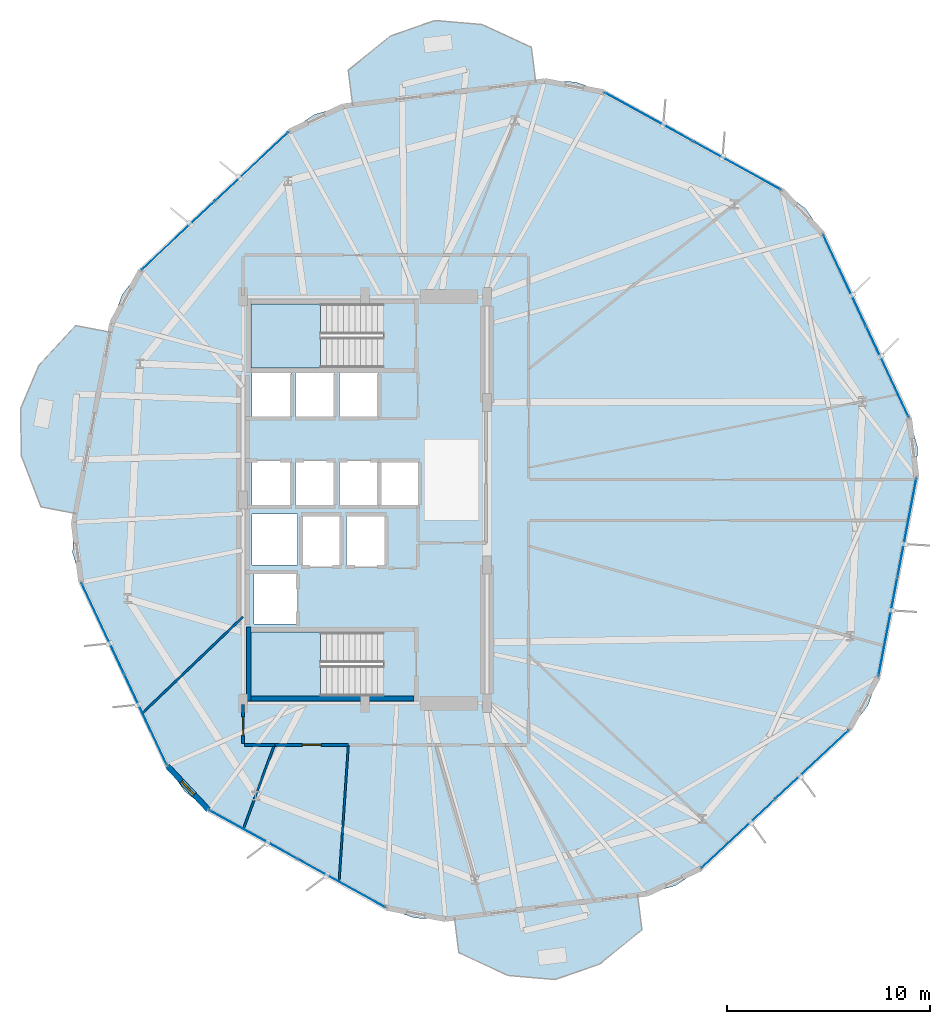
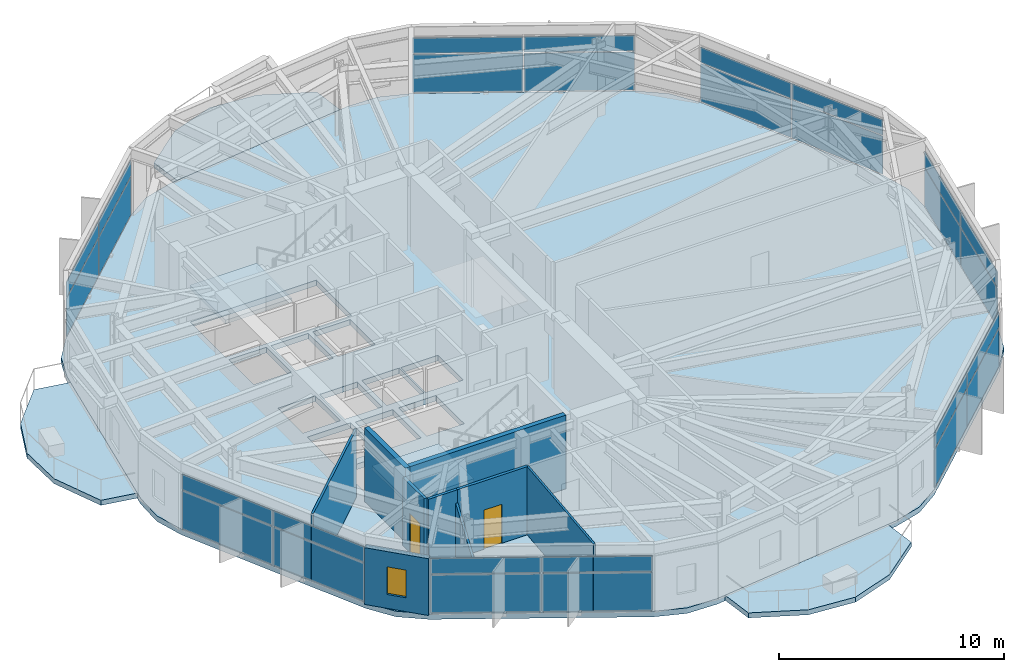
# One storey, part 15 of 22: 28 plates, 9 walls, 6 slabs, 2 doors, 1 window, 3 openings, 9 elements without a shape of their own.
"""IFC4 building model written with IfcOpenShell, lengths in metres."""

from ifc_helpers import new_model, si_unit, direction, frame, frame_2d, origin, origin_2d, place, context, subcontext, project, spatial, polyline, rectangle, outline, extrude, material, layer, layer_set, type_object, element, fill, aggregate, save


model = new_model("IFC4")

# Units and contexts
model_context = context("Model", 3, precision=1e-05, world=origin(), true_north=direction((0.0, 1.0)))
body_context = subcontext(model_context, "Body", "Model", "MODEL_VIEW")
ifc_project = project(units=[si_unit("LENGTHUNIT", "METRE"), si_unit("AREAUNIT", "SQUARE_METRE"), si_unit("VOLUMEUNIT", "CUBIC_METRE"), si_unit("PLANEANGLEUNIT", "RADIAN"), si_unit("MASSUNIT", "GRAM", prefix="KILO")], contexts=[model_context])

# Site, building, storey
site_placement = place(None, origin())
site = spatial("IfcSite", under=ifc_project, at=site_placement, CompositionType="ELEMENT")
building_placement = place(site_placement, origin())
building = spatial("IfcBuilding", under=site, at=building_placement, Name="Soratama Intermodal Tower", CompositionType="ELEMENT")
storey_placement = place(building_placement, frame((0.0, 0.0, 54.60009765625)))
storey = spatial("IfcBuildingStorey", under=building, at=storey_placement, Name="L12", CompositionType="ELEMENT", Elevation=54.60009765625)

# Curtain wall, plates
ifc_material_1 = material(Name="Double-glazed aluminium curtain wall", Category="aluminium")
ifc_layer_1 = layer(ifc_material_1, 0.159912109375)
ifc_layer_set_1 = layer_set([ifc_layer_1], Name="Double-glazed aluminium curtain wall")
curtain_wall_type = type_object("IfcCurtainWallType", Name="CW-SYS-2", PredefinedType="NOTDEFINED", material=ifc_layer_set_1)
curtain_wall_1_placement = place(storey_placement, origin())
curtain_wall_1 = element("IfcCurtainWall", 1, at=curtain_wall_1_placement, inside=storey, type_object=curtain_wall_type, Name="L12 Faceted Curtain Wall F01", PredefinedType="NOTDEFINED")
ifc_material_2 = material(Name="Low-E laminated double glazing", Category="glass")
ifc_layer_2 = layer(ifc_material_2, 0.031982421875)
ifc_layer_set_2 = layer_set([ifc_layer_2], Name="Low-E laminated double glazing")
plate_type = type_object("IfcPlateType", Name="PT-CWP-2", PredefinedType="CURTAIN_PANEL", material=ifc_layer_set_2)
plate_1_placement = place(storey_placement, frame((64.30029296875, 31.318115234375, 0.059814453125), z_axis=(0.0, 0.0, 1.0), x_axis=(-0.424828705132, 0.905273754892, 0.0)))
plate_1 = element("IfcPlate", 2, at=plate_1_placement, type_object=plate_type, Name="CW-2 panel 1.1", PredefinedType="CURTAIN_PANEL", context=body_context, shape_type="SweptSolid", body=[
    extrude(rectangle(XDim=4.899658203125, YDim=0.028076171875, at=origin_2d()), origin(), (0.0, 0.0, 1.0), 2.06005859375),
])
plate_2_placement = place(storey_placement, frame((64.30029296875, 31.318115234375, 2.1796875), z_axis=(0.0, 0.0, 1.0), x_axis=(-0.424828705132, 0.905273754892, 0.0)))
plate_2 = element("IfcPlate", 3, at=plate_2_placement, type_object=plate_type, Name="CW-2 panel 1.2", PredefinedType="CURTAIN_PANEL", context=body_context, shape_type="SweptSolid", body=[
    extrude(rectangle(XDim=4.899658203125, YDim=0.028076171875, at=origin_2d()), origin(), (0.0, 0.0, 1.0), 0.839111328125),
])
plate_3_placement = place(storey_placement, frame((62.193359375, 35.807861328125, 0.059814453125), z_axis=(0.0, 0.0, 1.0), x_axis=(-0.424828705132, 0.905273754892, 0.0)))
plate_3 = element("IfcPlate", 4, at=plate_3_placement, type_object=plate_type, Name="CW-2 panel 2.1", PredefinedType="CURTAIN_PANEL", context=body_context, shape_type="SweptSolid", body=[
    extrude(rectangle(XDim=4.899658203125, YDim=0.028076171875, at=origin_2d()), origin(), (0.0, 0.0, 1.0), 2.06005859375),
])
plate_4_placement = place(storey_placement, frame((62.193359375, 35.807861328125, 2.1796875), z_axis=(0.0, 0.0, 1.0), x_axis=(-0.424828705132, 0.905273754892, 0.0)))
plate_4 = element("IfcPlate", 5, at=plate_4_placement, type_object=plate_type, Name="CW-2 panel 2.2", PredefinedType="CURTAIN_PANEL", context=body_context, shape_type="SweptSolid", body=[
    extrude(rectangle(XDim=4.899658203125, YDim=0.028076171875, at=origin_2d()), origin(), (0.0, 0.0, 1.0), 0.839111328125),
])
aggregate(curtain_wall_1, [plate_1, plate_2, plate_3, plate_4])

curtain_wall_2_placement = place(storey_placement, origin())
curtain_wall_2 = element("IfcCurtainWall", 6, at=curtain_wall_2_placement, inside=storey, type_object=curtain_wall_type, Name="L12 Faceted Curtain Wall F02", PredefinedType="NOTDEFINED")
plate_5_placement = place(storey_placement, frame((56.900634765625, 41.455810546875, 0.059814453125), z_axis=(0.0, 0.0, 1.0), x_axis=(-0.875798144313, 0.482677542899, 0.0)))
plate_5 = element("IfcPlate", 7, at=plate_5_placement, type_object=plate_type, Name="CW-2 panel 1.1", PredefinedType="CURTAIN_PANEL", context=body_context, shape_type="SweptSolid", body=[
    extrude(rectangle(XDim=4.899658203125, YDim=0.028076171875, at=origin_2d()), origin(), (0.0, 0.0, 1.0), 2.06005859375),
])
plate_6_placement = place(storey_placement, frame((56.900634765625, 41.455810546875, 2.1796875), z_axis=(0.0, 0.0, 1.0), x_axis=(-0.875798144313, 0.482677542899, 0.0)))
plate_6 = element("IfcPlate", 8, at=plate_6_placement, type_object=plate_type, Name="CW-2 panel 1.2", PredefinedType="CURTAIN_PANEL", context=body_context, shape_type="SweptSolid", body=[
    extrude(rectangle(XDim=4.899658203125, YDim=0.028076171875, at=origin_2d()), origin(), (0.0, 0.0, 1.0), 0.839111328125),
])
plate_7_placement = place(storey_placement, frame((52.55712890625, 43.849853515625, 0.059814453125), z_axis=(0.0, 0.0, 1.0), x_axis=(-0.875798144313, 0.482677542899, 0.0)))
plate_7 = element("IfcPlate", 9, at=plate_7_placement, type_object=plate_type, Name="CW-2 panel 2.1", PredefinedType="CURTAIN_PANEL", context=body_context, shape_type="SweptSolid", body=[
    extrude(rectangle(XDim=4.899658203125, YDim=0.028076171875, at=origin_2d()), origin(), (0.0, 0.0, 1.0), 2.06005859375),
])
plate_8_placement = place(storey_placement, frame((52.55712890625, 43.849853515625, 2.1796875), z_axis=(0.0, 0.0, 1.0), x_axis=(-0.875798144313, 0.482677542899, 0.0)))
plate_8 = element("IfcPlate", 10, at=plate_8_placement, type_object=plate_type, Name="CW-2 panel 2.2", PredefinedType="CURTAIN_PANEL", context=body_context, shape_type="SweptSolid", body=[
    extrude(rectangle(XDim=4.899658203125, YDim=0.028076171875, at=origin_2d()), origin(), (0.0, 0.0, 1.0), 0.839111328125),
])
aggregate(curtain_wall_2, [plate_5, plate_6, plate_7, plate_8])

curtain_wall_3_placement = place(storey_placement, origin())
curtain_wall_3 = element("IfcCurtainWall", 11, at=curtain_wall_3_placement, inside=storey, type_object=curtain_wall_type, Name="L12 Faceted Curtain Wall F04", PredefinedType="NOTDEFINED")
plate_9_placement = place(storey_placement, frame((33.02685546875, 41.4033203125, 0.059814453125), z_axis=(0.0, 0.0, 1.0), x_axis=(-0.729682188775, -0.683786445745, 0.0)))
plate_9 = element("IfcPlate", 12, at=plate_9_placement, type_object=plate_type, Name="CW-2 panel 1.1", PredefinedType="CURTAIN_PANEL", context=body_context, shape_type="SweptSolid", body=[
    extrude(rectangle(XDim=4.899658203125, YDim=0.028076171875, at=origin_2d()), origin(), (0.0, 0.0, 1.0), 2.06005859375),
])
plate_10_placement = place(storey_placement, frame((33.02685546875, 41.4033203125, 2.1796875), z_axis=(0.0, 0.0, 1.0), x_axis=(-0.729682188775, -0.683786445745, 0.0)))
plate_10 = element("IfcPlate", 13, at=plate_10_placement, type_object=plate_type, Name="CW-2 panel 1.2", PredefinedType="CURTAIN_PANEL", context=body_context, shape_type="SweptSolid", body=[
    extrude(rectangle(XDim=4.899658203125, YDim=0.028076171875, at=origin_2d()), origin(), (0.0, 0.0, 1.0), 0.839111328125),
])
plate_11_placement = place(storey_placement, frame((29.407958984375, 38.011962890625, 0.059814453125), z_axis=(0.0, 0.0, 1.0), x_axis=(-0.729682188775, -0.683786445745, 0.0)))
plate_11 = element("IfcPlate", 14, at=plate_11_placement, type_object=plate_type, Name="CW-2 panel 2.1", PredefinedType="CURTAIN_PANEL", context=body_context, shape_type="SweptSolid", body=[
    extrude(rectangle(XDim=4.899658203125, YDim=0.028076171875, at=origin_2d()), origin(), (0.0, 0.0, 1.0), 2.06005859375),
])
plate_12_placement = place(storey_placement, frame((29.407958984375, 38.011962890625, 2.1796875), z_axis=(0.0, 0.0, 1.0), x_axis=(-0.729682188775, -0.683786445745, 0.0)))
plate_12 = element("IfcPlate", 15, at=plate_12_placement, type_object=plate_type, Name="CW-2 panel 2.2", PredefinedType="CURTAIN_PANEL", context=body_context, shape_type="SweptSolid", body=[
    extrude(rectangle(XDim=4.899658203125, YDim=0.028076171875, at=origin_2d()), origin(), (0.0, 0.0, 1.0), 0.839111328125),
])
aggregate(curtain_wall_3, [plate_9, plate_10, plate_11, plate_12])

curtain_wall_4_placement = place(storey_placement, origin())
curtain_wall_4 = element("IfcCurtainWall", 16, at=curtain_wall_4_placement, inside=storey, type_object=curtain_wall_type, Name="L12 Faceted Curtain Wall F06", PredefinedType="NOTDEFINED")
plate_13_placement = place(storey_placement, frame((25.69970703125, 18.681884765625, 0.059814453125), z_axis=(0.0, 0.0, 1.0), x_axis=(0.424828705132, -0.905273754892, 0.0)))
plate_13 = element("IfcPlate", 17, at=plate_13_placement, type_object=plate_type, Name="CW-2 panel 1.1", PredefinedType="CURTAIN_PANEL", context=body_context, shape_type="SweptSolid", body=[
    extrude(rectangle(XDim=4.899658203125, YDim=0.028076171875, at=origin_2d()), origin(), (0.0, 0.0, 1.0), 2.06005859375),
])
plate_14_placement = place(storey_placement, frame((25.69970703125, 18.681884765625, 2.1796875), z_axis=(0.0, 0.0, 1.0), x_axis=(0.424828705132, -0.905273754892, 0.0)))
plate_14 = element("IfcPlate", 18, at=plate_14_placement, type_object=plate_type, Name="CW-2 panel 1.2", PredefinedType="CURTAIN_PANEL", context=body_context, shape_type="SweptSolid", body=[
    extrude(rectangle(XDim=4.899658203125, YDim=0.028076171875, at=origin_2d()), origin(), (0.0, 0.0, 1.0), 0.839111328125),
])
plate_15_placement = place(storey_placement, frame((27.806640625, 14.192138671875, 0.059814453125), z_axis=(0.0, 0.0, 1.0), x_axis=(0.424828705132, -0.905273754892, 0.0)))
plate_15 = element("IfcPlate", 19, at=plate_15_placement, type_object=plate_type, Name="CW-2 panel 2.1", PredefinedType="CURTAIN_PANEL", context=body_context, shape_type="SweptSolid", body=[
    extrude(rectangle(XDim=4.899658203125, YDim=0.028076171875, at=origin_2d()), origin(), (0.0, 0.0, 1.0), 2.06005859375),
])
plate_16_placement = place(storey_placement, frame((27.806640625, 14.192138671875, 2.1796875), z_axis=(0.0, 0.0, 1.0), x_axis=(0.424828705132, -0.905273754892, 0.0)))
plate_16 = element("IfcPlate", 20, at=plate_16_placement, type_object=plate_type, Name="CW-2 panel 2.2", PredefinedType="CURTAIN_PANEL", context=body_context, shape_type="SweptSolid", body=[
    extrude(rectangle(XDim=4.899658203125, YDim=0.028076171875, at=origin_2d()), origin(), (0.0, 0.0, 1.0), 0.839111328125),
])
aggregate(curtain_wall_4, [plate_13, plate_14, plate_15, plate_16])

curtain_wall_5_placement = place(storey_placement, origin())
curtain_wall_5 = element("IfcCurtainWall", 21, at=curtain_wall_5_placement, inside=storey, type_object=curtain_wall_type, Name="L12 Faceted Curtain Wall F07", PredefinedType="NOTDEFINED")
plate_17_placement = place(storey_placement, frame((33.099365234375, 8.544189453125, 0.059814453125), z_axis=(0.0, 0.0, 1.0), x_axis=(0.875798144313, -0.482677542899, 0.0)))
plate_17 = element("IfcPlate", 22, at=plate_17_placement, type_object=plate_type, Name="CW-2 panel 1.1", PredefinedType="CURTAIN_PANEL", context=body_context, shape_type="SweptSolid", body=[
    extrude(rectangle(XDim=4.899658203125, YDim=0.028076171875, at=origin_2d()), origin(), (0.0, 0.0, 1.0), 2.06005859375),
])
plate_18_placement = place(storey_placement, frame((33.099365234375, 8.544189453125, 2.1796875), z_axis=(0.0, 0.0, 1.0), x_axis=(0.875798144313, -0.482677542899, 0.0)))
plate_18 = element("IfcPlate", 23, at=plate_18_placement, type_object=plate_type, Name="CW-2 panel 1.2", PredefinedType="CURTAIN_PANEL", context=body_context, shape_type="SweptSolid", body=[
    extrude(rectangle(XDim=4.899658203125, YDim=0.028076171875, at=origin_2d()), origin(), (0.0, 0.0, 1.0), 0.839111328125),
])
plate_19_placement = place(storey_placement, frame((37.44287109375, 6.150146484375, 0.059814453125), z_axis=(0.0, 0.0, 1.0), x_axis=(0.875798144313, -0.482677542899, 0.0)))
plate_19 = element("IfcPlate", 24, at=plate_19_placement, type_object=plate_type, Name="CW-2 panel 2.1", PredefinedType="CURTAIN_PANEL", context=body_context, shape_type="SweptSolid", body=[
    extrude(rectangle(XDim=4.899658203125, YDim=0.028076171875, at=origin_2d()), origin(), (0.0, 0.0, 1.0), 2.06005859375),
])
plate_20_placement = place(storey_placement, frame((37.44287109375, 6.150146484375, 2.1796875), z_axis=(0.0, 0.0, 1.0), x_axis=(0.875798144313, -0.482677542899, 0.0)))
plate_20 = element("IfcPlate", 25, at=plate_20_placement, type_object=plate_type, Name="CW-2 panel 2.2", PredefinedType="CURTAIN_PANEL", context=body_context, shape_type="SweptSolid", body=[
    extrude(rectangle(XDim=4.899658203125, YDim=0.028076171875, at=origin_2d()), origin(), (0.0, 0.0, 1.0), 0.839111328125),
])
aggregate(curtain_wall_5, [plate_17, plate_18, plate_19, plate_20])

curtain_wall_6_placement = place(storey_placement, origin())
curtain_wall_6 = element("IfcCurtainWall", 26, at=curtain_wall_6_placement, inside=storey, type_object=curtain_wall_type, Name="L12 Faceted Curtain Wall F09", PredefinedType="NOTDEFINED")
plate_21_placement = place(storey_placement, frame((56.97314453125, 8.5966796875, 0.059814453125), z_axis=(0.0, 0.0, 1.0), x_axis=(0.729682188775, 0.683786445745, 0.0)))
plate_21 = element("IfcPlate", 27, at=plate_21_placement, type_object=plate_type, Name="CW-2 panel 1.1", PredefinedType="CURTAIN_PANEL", context=body_context, shape_type="SweptSolid", body=[
    extrude(rectangle(XDim=4.899658203125, YDim=0.028076171875, at=origin_2d()), origin(), (0.0, 0.0, 1.0), 2.06005859375),
])
plate_22_placement = place(storey_placement, frame((56.97314453125, 8.5966796875, 2.1796875), z_axis=(0.0, 0.0, 1.0), x_axis=(0.729682188775, 0.683786445745, 0.0)))
plate_22 = element("IfcPlate", 28, at=plate_22_placement, type_object=plate_type, Name="CW-2 panel 1.2", PredefinedType="CURTAIN_PANEL", context=body_context, shape_type="SweptSolid", body=[
    extrude(rectangle(XDim=4.899658203125, YDim=0.028076171875, at=origin_2d()), origin(), (0.0, 0.0, 1.0), 0.839111328125),
])
plate_23_placement = place(storey_placement, frame((60.592041015625, 11.988037109375, 0.059814453125), z_axis=(0.0, 0.0, 1.0), x_axis=(0.729682188775, 0.683786445745, 0.0)))
plate_23 = element("IfcPlate", 29, at=plate_23_placement, type_object=plate_type, Name="CW-2 panel 2.1", PredefinedType="CURTAIN_PANEL", context=body_context, shape_type="SweptSolid", body=[
    extrude(rectangle(XDim=4.899658203125, YDim=0.028076171875, at=origin_2d()), origin(), (0.0, 0.0, 1.0), 2.06005859375),
])
plate_24_placement = place(storey_placement, frame((60.592041015625, 11.988037109375, 2.1796875), z_axis=(0.0, 0.0, 1.0), x_axis=(0.729682188775, 0.683786445745, 0.0)))
plate_24 = element("IfcPlate", 30, at=plate_24_placement, type_object=plate_type, Name="CW-2 panel 2.2", PredefinedType="CURTAIN_PANEL", context=body_context, shape_type="SweptSolid", body=[
    extrude(rectangle(XDim=4.899658203125, YDim=0.028076171875, at=origin_2d()), origin(), (0.0, 0.0, 1.0), 0.839111328125),
])
aggregate(curtain_wall_6, [plate_21, plate_22, plate_23, plate_24])

curtain_wall_7_placement = place(storey_placement, origin())
curtain_wall_7 = element("IfcCurtainWall", 31, at=curtain_wall_7_placement, inside=storey, type_object=curtain_wall_type, Name="L12 Faceted Curtain Wall F10", PredefinedType="NOTDEFINED")
plate_25_placement = place(storey_placement, frame((64.328125, 18.76708984375, 0.059814453125), z_axis=(0.0, 0.0, 1.0), x_axis=(0.188405448385, 0.982091333339, 0.0)))
plate_25 = element("IfcPlate", 32, at=plate_25_placement, type_object=plate_type, Name="CW-2 panel 1.1", PredefinedType="CURTAIN_PANEL", context=body_context, shape_type="SweptSolid", body=[
    extrude(rectangle(XDim=4.8994140625, YDim=0.028076171875, at=origin_2d()), origin(), (0.0, 0.0, 1.0), 2.06005859375),
])
plate_26_placement = place(storey_placement, frame((64.328125, 18.76708984375, 2.1796875), z_axis=(0.0, 0.0, 1.0), x_axis=(0.188405448385, 0.982091333339, 0.0)))
plate_26 = element("IfcPlate", 33, at=plate_26_placement, type_object=plate_type, Name="CW-2 panel 1.2", PredefinedType="CURTAIN_PANEL", context=body_context, shape_type="SweptSolid", body=[
    extrude(rectangle(XDim=4.8994140625, YDim=0.028076171875, at=origin_2d()), origin(), (0.0, 0.0, 1.0), 0.839111328125),
])
plate_27_placement = place(storey_placement, frame((65.262451171875, 23.6376953125, 0.059814453125), z_axis=(0.0, 0.0, 1.0), x_axis=(0.188405448385, 0.982091333339, 0.0)))
plate_27 = element("IfcPlate", 34, at=plate_27_placement, type_object=plate_type, Name="CW-2 panel 2.1", PredefinedType="CURTAIN_PANEL", context=body_context, shape_type="SweptSolid", body=[
    extrude(rectangle(XDim=4.8994140625, YDim=0.028076171875, at=origin_2d()), origin(), (0.0, 0.0, 1.0), 2.06005859375),
])
plate_28_placement = place(storey_placement, frame((65.262451171875, 23.6376953125, 2.1796875), z_axis=(0.0, 0.0, 1.0), x_axis=(0.188405448385, 0.982091333339, 0.0)))
plate_28 = element("IfcPlate", 35, at=plate_28_placement, type_object=plate_type, Name="CW-2 panel 2.2", PredefinedType="CURTAIN_PANEL", context=body_context, shape_type="SweptSolid", body=[
    extrude(rectangle(XDim=4.8994140625, YDim=0.028076171875, at=origin_2d()), origin(), (0.0, 0.0, 1.0), 0.839111328125),
])
aggregate(curtain_wall_7, [plate_25, plate_26, plate_27, plate_28])

# Slabs
ifc_material_3 = material(Name="Concrete f'c 42 MPa", Category="concrete")
ifc_layer_3 = layer(ifc_material_3, 0.27001953125)
ifc_layer_set_3 = layer_set([ifc_layer_3], Name="Concrete f'c 42 MPa")
slab_type_1 = type_object("IfcSlabType", Name="SL-EXT-BAL1", PredefinedType="FLOOR", material=ifc_layer_set_3)
slab_1_placement = place(storey_placement, frame((0.0, 0.0, -0.27001953125)))
element("IfcSlab", 36, at=slab_1_placement, inside=storey, type_object=slab_type_1, Name="L12 Planted Balcony North 1", PredefinedType="FLOOR", context=body_context, shape_type="SweptSolid", body=[
    extrude(outline(polyline([(46.9990234375, 45.564208984375), (37.990478515625, 44.435546875), (37.776611328125, 46.142333984375), (39.852783203125, 47.82861328125), (42.044677734375, 48.591796875), (44.357177734375, 48.392822265625), (46.78515625, 47.270751953125), (46.9990234375, 45.564208984375)])), origin(), (0.0, 0.0, 1.0), 0.27001953125),
])
slab_2_placement = place(storey_placement, frame((0.0, 0.0, -0.27001953125)))
element("IfcSlab", 37, at=slab_2_placement, inside=storey, type_object=slab_type_1, Name="L12 Planted Balcony West 2", PredefinedType="FLOOR", context=body_context, shape_type="SweptSolid", body=[
    extrude(outline(polyline([(26.06005859375, 33.255859375), (24.349609375, 24.33935546875), (22.660400390625, 24.66357421875), (21.697998046875, 27.1591796875), (21.649658203125, 29.479736328125), (22.55322265625, 31.617431640625), (24.370849609375, 33.579833984375), (26.06005859375, 33.255859375)])), origin(), (0.0, 0.0, 1.0), 0.27001953125),
])
slab_3_placement = place(storey_placement, frame((0.0, 0.0, -0.27001953125)))
element("IfcSlab", 38, at=slab_3_placement, inside=storey, type_object=slab_type_1, Name="L12 Planted Balcony South 3", PredefinedType="FLOOR", context=body_context, shape_type="SweptSolid", body=[
    extrude(outline(polyline([(43.0009765625, 4.435791015625), (52.009521484375, 5.564453125), (52.223388671875, 3.857666015625), (50.147216796875, 2.17138671875), (47.955322265625, 1.408203125), (45.642822265625, 1.607177734375), (43.21484375, 2.729248046875), (43.0009765625, 4.435791015625)])), origin(), (0.0, 0.0, 1.0), 0.27001953125),
])

# Stair, slab
ifc_material_4 = material(Name="Concrete f'c 42 MPa", Category="concrete")
stair_type = type_object("IfcStairType", Name="ST-CORE-DOGLEG", PredefinedType="HALF_TURN_STAIR", material=ifc_material_4)
stair_1_placement = place(storey_placement, origin())
stair_1 = element("IfcStair", 39, at=stair_1_placement, inside=storey, type_object=stair_type, Name="L12 ST-1", PredefinedType="HALF_TURN_STAIR")
ifc_material_5 = material(Name="Concrete f'c 42 MPa", Category="concrete")
ifc_layer_4 = layer(ifc_material_5, 0.219970703125)
ifc_layer_set_4 = layer_set([ifc_layer_4], Name="Concrete f'c 42 MPa")
slab_type_2 = type_object("IfcSlabType", Name="SL-STAIR-LAND", PredefinedType="LANDING", material=ifc_layer_set_4)
slab_4_placement = place(storey_placement, frame((0.0, 0.0, 1.7998046875)))
slab_4 = element("IfcSlab", 40, at=slab_4_placement, type_object=slab_type_2, Name="ST-1 landing 1", PredefinedType="LANDING", context=body_context, shape_type="SweptSolid", body=[
    extrude(outline(polyline([(36.419921875, 18.5), (33.0, 18.5), (33.0, 15.35009765625), (36.419921875, 15.35009765625), (36.419921875, 18.5)])), origin(), (0.0, 0.0, 1.0), 0.2001953125),
])
aggregate(stair_1, [slab_4])

stair_2_placement = place(storey_placement, origin())
stair_2 = element("IfcStair", 41, at=stair_2_placement, inside=storey, type_object=stair_type, Name="L12 ST-2", PredefinedType="HALF_TURN_STAIR")
slab_5_placement = place(storey_placement, frame((0.0, 0.0, 1.7998046875)))
slab_5 = element("IfcSlab", 42, at=slab_5_placement, type_object=slab_type_2, Name="ST-2 landing 1", PredefinedType="LANDING", context=body_context, shape_type="SweptSolid", body=[
    extrude(outline(polyline([(36.419921875, 34.64990234375), (33.0, 34.64990234375), (33.0, 31.5), (36.419921875, 31.5), (36.419921875, 34.64990234375)])), origin(), (0.0, 0.0, 1.0), 0.2001953125),
])
aggregate(stair_2, [slab_5])

# Slab
ifc_material_6 = material(Name="Concrete f'c 42 MPa", Category="concrete")
ifc_layer_5 = layer(ifc_material_6, 0.280029296875)
ifc_layer_set_5 = layer_set([ifc_layer_5], Name="Concrete f'c 42 MPa")
slab_type_3 = type_object("IfcSlabType", Name="SL-TWR-280", PredefinedType="FLOOR", material=ifc_layer_set_5)
slab_6_placement = place(storey_placement, frame((0.0, 0.0, -0.300048828125)))
element("IfcSlab", 43, at=slab_6_placement, inside=storey, type_object=slab_type_3, Name="L12 Structural Floor Slab", PredefinedType="FLOOR", context=body_context, shape_type="SweptSolid", body=[
    extrude(outline(polyline([(65.7353515625, 26.1025390625), (65.783935546875, 27.603515625), (65.36669921875, 29.046142578125), (61.127197265625, 38.079833984375), (60.2841796875, 39.322998046875), (59.0986328125, 40.244384765625), (50.35888671875, 45.061279296875), (48.946533203125, 45.5712890625), (47.445556640625, 45.6201171875), (37.5439453125, 44.379638671875), (36.101318359375, 43.96240234375), (34.8583984375, 43.119384765625), (27.57666015625, 36.2958984375), (26.655029296875, 35.1103515625), (26.144775390625, 33.69775390625), (24.2646484375, 23.8974609375), (24.216064453125, 22.396484375), (24.63330078125, 20.953857421875), (28.872802734375, 11.920166015625), (29.7158203125, 10.677001953125), (30.9013671875, 9.755615234375), (39.64111328125, 4.938720703125), (41.053466796875, 4.4287109375), (42.554443359375, 4.3798828125), (52.4560546875, 5.620361328125), (53.898681640625, 6.03759765625), (55.1416015625, 6.880615234375), (62.42333984375, 13.7041015625), (63.344970703125, 14.8896484375), (63.855224609375, 16.30224609375), (65.7353515625, 26.1025390625)]), holes=[polyline([(33.0, 18.5), (33.0, 15.35009765625), (39.47509765625, 15.35009765625), (39.47509765625, 18.5), (33.0, 18.5)]), polyline([(35.260009765625, 18.889892578125), (35.260009765625, 21.409912109375), (33.139892578125, 21.409912109375), (33.139892578125, 18.889892578125), (35.260009765625, 18.889892578125)]), polyline([(33.050048828125, 21.800048828125), (35.280029296875, 21.800048828125), (35.280029296875, 24.320068359375), (33.050048828125, 24.320068359375), (33.050048828125, 21.800048828125)]), polyline([(34.9599609375, 26.909912109375), (33.0400390625, 26.909912109375), (33.0400390625, 24.68994140625), (34.9599609375, 24.68994140625), (34.9599609375, 26.909912109375)]), polyline([(37.110107421875, 24.68994140625), (37.110107421875, 26.909912109375), (35.18994140625, 26.909912109375), (35.18994140625, 24.68994140625), (37.110107421875, 24.68994140625)]), polyline([(34.9599609375, 29.0400390625), (34.9599609375, 31.260009765625), (33.0400390625, 31.260009765625), (33.0400390625, 29.0400390625), (34.9599609375, 29.0400390625)]), polyline([(37.110107421875, 31.260009765625), (35.18994140625, 31.260009765625), (35.18994140625, 29.0400390625), (37.110107421875, 29.0400390625), (37.110107421875, 31.260009765625)]), polyline([(37.409912109375, 21.739990234375), (37.409912109375, 24.260009765625), (35.489990234375, 24.260009765625), (35.489990234375, 21.739990234375), (37.409912109375, 21.739990234375)]), polyline([(39.610107421875, 21.739990234375), (39.610107421875, 24.260009765625), (37.68994140625, 24.260009765625), (37.68994140625, 21.739990234375), (39.610107421875, 21.739990234375)]), polyline([(39.260009765625, 24.68994140625), (39.260009765625, 26.909912109375), (37.340087890625, 26.909912109375), (37.340087890625, 24.68994140625), (39.260009765625, 24.68994140625)]), polyline([(41.260009765625, 24.68994140625), (41.260009765625, 26.909912109375), (39.340087890625, 26.909912109375), (39.340087890625, 24.68994140625), (41.260009765625, 24.68994140625)]), polyline([(39.260009765625, 29.0400390625), (39.260009765625, 31.260009765625), (37.340087890625, 31.260009765625), (37.340087890625, 29.0400390625), (39.260009765625, 29.0400390625)]), polyline([(39.47509765625, 34.64990234375), (33.0, 34.64990234375), (33.0, 31.5), (39.47509765625, 31.5), (39.47509765625, 34.64990234375)])]), origin(), (0.0, 0.0, 1.0), 0.300048828125),
])

# Wall, opening, window
ifc_material_7 = material(Name="Concrete f'c 42 MPa", Category="concrete")
ifc_layer_6 = layer(ifc_material_7, 0.27001953125)
ifc_layer_set_6 = layer_set([ifc_layer_6], Name="Concrete f'c 42 MPa")
wall_type_1 = type_object("IfcWallType", Name="EW-CRN-270", PredefinedType="SOLIDWALL", material=ifc_layer_set_6)
wall_1_placement = place(storey_placement, frame((28.872802734375, 11.920166015625, 0.0), z_axis=(0.0, 0.0, 1.0), x_axis=(0.683815190571, -0.729655250885, 0.0)))
wall_1 = element("IfcWall", 44, at=wall_1_placement, inside=storey, type_object=wall_type_1, Name="L12 Corner Closure Wall 06", PredefinedType="SOLIDWALL", context=body_context, shape_type="SweptSolid", body=[
    extrude(rectangle(XDim=2.966552734375, YDim=0.27001953125, at=frame_2d((1.4833984375, 0.0))), origin(), (0.0, 0.0, 1.0), 3.078857421875),
])
opening_1_placement = place(wall_1_placement, frame((1.033203125, 0.0, 0.75)))
opening_1 = element("IfcOpeningElement", 45, at=opening_1_placement, cuts=wall_1, Name="Opening WN-6", PredefinedType="OPENING", context=body_context, shape_type="SweptSolid", body=[
    extrude(rectangle(XDim=0.89990234375, YDim=1.5, at=frame_2d((0.449951171875, 0.75))), frame((0.0, 0.14501953125, 0.0), z_axis=(0.0, -1.0, 0.0), x_axis=(1.0, 0.0, 0.0)), (0.0, 0.0, 1.0), 0.2900390625),
])
ifc_material_8 = material(Name="Double-glazed aluminium window", Category="aluminium")
window_type = type_object("IfcWindowType", Name="WN-FAC-900", PartitioningType="SINGLE_PANEL", PredefinedType="WINDOW", material=ifc_material_8)
window_placement = place(opening_1_placement, origin())
window = element("IfcWindow", 46, at=window_placement, inside=storey, type_object=window_type, Name="L12 Corner Window 06", OverallHeight=1.5, OverallWidth=0.89990234375, PartitioningType="SINGLE_PANEL", PredefinedType="WINDOW", context=body_context, shape_type="SweptSolid", body=[
    extrude(rectangle(XDim=0.89990234375, YDim=1.5, at=frame_2d((0.449951171875, 0.75))), frame((0.0, 0.030029296875, 0.0), z_axis=(0.0, -1.0, 0.0), x_axis=(1.0, 0.0, 0.0)), (0.0, 0.0, 1.0), 0.06005859375),
])
fill(opening_1, window)

# Wall, opening, door
ifc_material_9 = material(Name="Fire-rated gypsum stud partition", Category="concrete")
ifc_layer_7 = layer(ifc_material_9, 0.14990234375)
ifc_layer_set_7 = layer_set([ifc_layer_7], Name="Fire-rated gypsum stud partition")
wall_type_2 = type_object("IfcWallType", Name="IW-PART-R150", PredefinedType="PARTITIONING", material=ifc_layer_set_7)
wall_2_placement = place(storey_placement, frame((37.781005859375, 12.949951171875, 0.0), z_axis=(0.0, 0.0, 1.0), x_axis=(-1.0, 0.0, 0.0)))
wall_2 = element("IfcWall", 47, at=wall_2_placement, inside=storey, type_object=wall_type_2, Name="L12 Partition W-L12-TP020", PredefinedType="PARTITIONING", context=body_context, shape_type="SweptSolid", body=[
    extrude(rectangle(XDim=3.637939453125, YDim=0.14990234375, at=frame_2d((1.81884765625, 0.0))), origin(), (0.0, 0.0, 1.0), 3.699951171875),
])
opening_2_placement = place(wall_2_placement, frame((1.343994140625, 0.0, 0.0)))
opening_2 = element("IfcOpeningElement", 48, at=opening_2_placement, cuts=wall_2, Name="Opening ID-6", PredefinedType="OPENING", context=body_context, shape_type="SweptSolid", body=[
    extrude(rectangle(XDim=0.919921875, YDim=2.1201171875, at=frame_2d((0.4599609375, 1.06005859375))), frame((0.0, 0.0849609375, 0.0), z_axis=(0.0, -1.0, 0.0), x_axis=(1.0, 0.0, 0.0)), (0.0, 0.0, 1.0), 0.169921875),
])
ifc_material_10 = material(Name="Solid hardwood acoustic door", Category="wood")
door_type = type_object("IfcDoorType", Name="DR-ROOM-920", OperationType="NOTDEFINED", PredefinedType="DOOR", material=ifc_material_10)
door_1_placement = place(opening_2_placement, origin())
door_1 = element("IfcDoor", 49, at=door_1_placement, inside=storey, type_object=door_type, Name="L12 Door D-L12-TP010", OperationType="SINGLE_SWING_LEFT", OverallHeight=2.1201171875, OverallWidth=0.919921875, PredefinedType="DOOR", context=body_context, shape_type="SweptSolid", body=[
    extrude(rectangle(XDim=0.919921875, YDim=2.1201171875, at=frame_2d((0.4599609375, 1.06005859375))), frame((0.0, 0.02490234375, 0.0), z_axis=(0.0, -1.0, 0.0), x_axis=(1.0, 0.0, 0.0)), (0.0, 0.0, 1.0), 0.050048828125),
])
fill(opening_2, door_1)

wall_3_placement = place(storey_placement, frame((32.60009765625, 13.02001953125, 0.0), z_axis=(0.0, 0.0, 1.0), x_axis=(0.0, 1.0, 0.0)))
wall_3 = element("IfcWall", 50, at=wall_3_placement, inside=storey, type_object=wall_type_2, Name="L12 Partition W-L12-TP025", PredefinedType="PARTITIONING", context=body_context, shape_type="SweptSolid", body=[
    extrude(rectangle(XDim=1.909912109375, YDim=0.14990234375, at=frame_2d((0.955078125, 0.0))), origin(), (0.0, 0.0, 1.0), 3.699951171875),
])
opening_3_placement = place(wall_3_placement, frame((0.384033203125, 0.0, 0.0)))
opening_3 = element("IfcOpeningElement", 51, at=opening_3_placement, cuts=wall_3, Name="Opening ID-6", PredefinedType="OPENING", context=body_context, shape_type="SweptSolid", body=[
    extrude(rectangle(XDim=0.919921875, YDim=2.1201171875, at=frame_2d((0.4599609375, 1.06005859375))), frame((0.0, 0.0849609375, 0.0), z_axis=(0.0, -1.0, 0.0), x_axis=(1.0, 0.0, 0.0)), (0.0, 0.0, 1.0), 0.169921875),
])
door_2_placement = place(opening_3_placement, origin())
door_2 = element("IfcDoor", 52, at=door_2_placement, inside=storey, type_object=door_type, Name="L12 Door D-L12-TP014", OperationType="SINGLE_SWING_LEFT", OverallHeight=2.1201171875, OverallWidth=0.919921875, PredefinedType="DOOR", context=body_context, shape_type="SweptSolid", body=[
    extrude(rectangle(XDim=0.919921875, YDim=2.1201171875, at=frame_2d((0.4599609375, 1.06005859375))), frame((0.0, 0.02490234375, 0.0), z_axis=(0.0, -1.0, 0.0), x_axis=(1.0, 0.0, 0.0)), (0.0, 0.0, 1.0), 0.050048828125),
])
fill(opening_3, door_2)

# Walls
wall_4_placement = place(storey_placement, frame((34.14306640625, 12.949951171875, 0.0), z_axis=(0.0, 0.0, 1.0), x_axis=(-1.0, 0.0, 0.0)))
element("IfcWall", 53, at=wall_4_placement, inside=storey, type_object=wall_type_2, Name="L12 Partition W-L12-TP029", PredefinedType="PARTITIONING", context=body_context, shape_type="SweptSolid", body=[
    extrude(rectangle(XDim=1.47314453125, YDim=0.14990234375, at=frame_2d((0.736572265625, 0.0))), origin(), (0.0, 0.0, 1.0), 3.699951171875),
])
ifc_material_11 = material(Name="Fire-rated gypsum stud partition", Category="concrete")
ifc_layer_8 = layer(ifc_material_11, 0.10009765625)
ifc_layer_set_8 = layer_set([ifc_layer_8], Name="Fire-rated gypsum stud partition")
wall_type_3 = type_object("IfcWallType", Name="IW-PART-S100", PredefinedType="PARTITIONING", material=ifc_layer_set_8)
wall_5_placement = place(storey_placement, frame((37.781005859375, 12.949951171875, 0.0), z_axis=(0.0, 0.0, 1.0), x_axis=(-0.067858593443, -0.997694949018, 0.0)))
element("IfcWall", 54, at=wall_5_placement, inside=storey, type_object=wall_type_3, Name="L12 Partition W-L12-TP013", PredefinedType="PARTITIONING", context=body_context, shape_type="SweptSolid", body=[
    extrude(rectangle(XDim=6.74951171875, YDim=0.10009765625, at=frame_2d((3.374755859375, 0.0))), origin(), (0.0, 0.0, 1.0), 3.699951171875),
])
ifc_material_12 = material(Name="Fire-rated gypsum stud partition", Category="concrete")
ifc_layer_9 = layer(ifc_material_12, 0.110107421875)
ifc_layer_set_9 = layer_set([ifc_layer_9], Name="Fire-rated gypsum stud partition")
wall_type_4 = type_object("IfcWallType", Name="IW-PART-S110", PredefinedType="PARTITIONING", material=ifc_layer_set_9)
wall_6_placement = place(storey_placement, frame((32.60009765625, 19.2548828125, 0.0), z_axis=(0.0, 0.0, 1.0), x_axis=(-0.72235688482, -0.691520448687, 0.0)))
element("IfcWall", 55, at=wall_6_placement, inside=storey, type_object=wall_type_4, Name="L12 Partition W-L12-TP012", PredefinedType="PARTITIONING", context=body_context, shape_type="SweptSolid", body=[
    extrude(rectangle(XDim=6.848388671875, YDim=0.110107421875, at=frame_2d((3.42431640625, 0.0))), origin(), (0.0, 0.0, 1.0), 3.699951171875),
])
wall_7_placement = place(storey_placement, frame((34.14306640625, 12.949951171875, 0.0), z_axis=(0.0, 0.0, 1.0), x_axis=(-0.346807845611, -0.937936201574, 0.0)))
element("IfcWall", 56, at=wall_7_placement, inside=storey, type_object=wall_type_4, Name="L12 Partition W-L12-TP017", PredefinedType="PARTITIONING", context=body_context, shape_type="SweptSolid", body=[
    extrude(rectangle(XDim=4.411865234375, YDim=0.110107421875, at=frame_2d((2.2060546875, 0.0))), origin(), (0.0, 0.0, 1.0), 2.994873046875),
])
ifc_material_13 = material(Name="Concrete f'c 56 MPa", Category="concrete")
ifc_layer_10 = layer(ifc_material_13, 0.239990234375)
ifc_layer_set_10 = layer_set([ifc_layer_10], Name="Concrete f'c 56 MPa")
wall_type_5 = type_object("IfcWallType", Name="SW-STAIR-240", PredefinedType="SHEAR", material=ifc_layer_set_10)
wall_8_placement = place(storey_placement, frame((32.8798828125, 15.110107421875, 0.0), z_axis=(0.0, 0.0, 1.0), x_axis=(0.0, 1.0, 0.0)))
element("IfcWall", 57, at=wall_8_placement, inside=storey, type_object=wall_type_5, Name="L12 ST-1 Shaft Shear Wall W", PredefinedType="SHEAR", context=body_context, shape_type="SweptSolid", body=[
    extrude(rectangle(XDim=3.6298828125, YDim=0.239990234375, at=frame_2d((1.81494140625, 0.0))), origin(), (0.0, 0.0, 1.0), 4.0),
])
wall_9_placement = place(storey_placement, frame((33.0, 15.22998046875, 0.0), z_axis=(0.0, 0.0, 1.0), x_axis=(1.0, 0.0, 0.0)))
element("IfcWall", 58, at=wall_9_placement, inside=storey, type_object=wall_type_5, Name="L12 ST-1 Shaft Shear Wall S", PredefinedType="SHEAR", context=body_context, shape_type="SweptSolid", body=[
    extrude(rectangle(XDim=8.0, YDim=0.239990234375, at=frame_2d((4.0, 0.0))), origin(), (0.0, 0.0, 1.0), 4.0),
])

save(model, "model.ifc")
